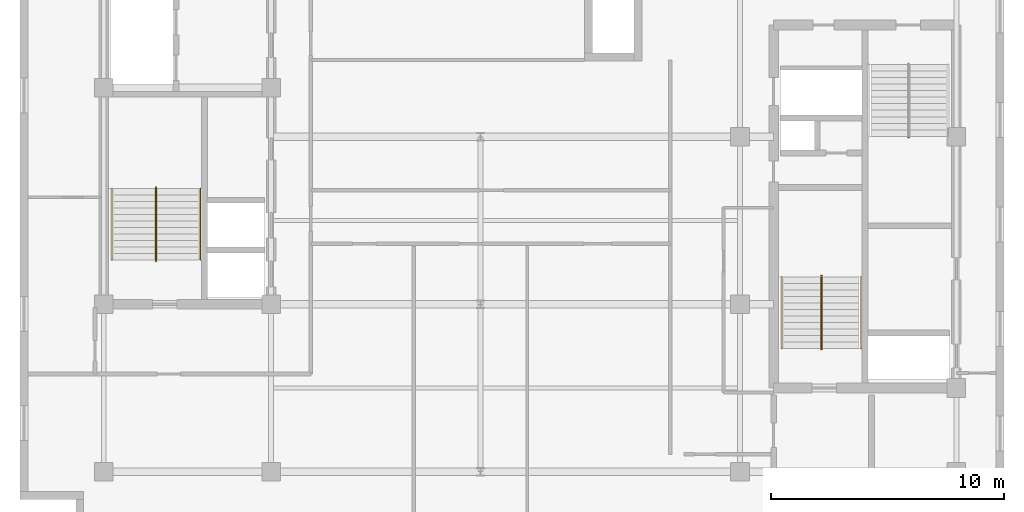
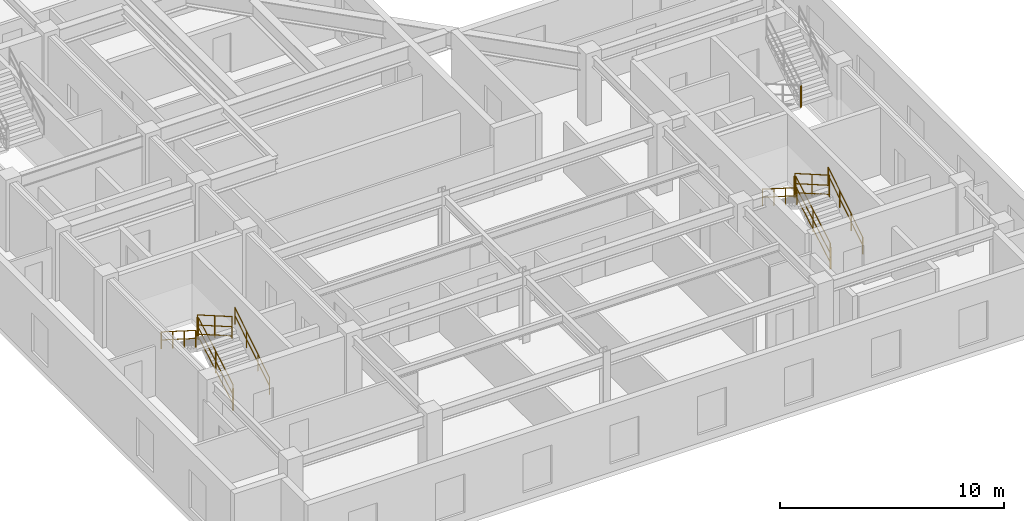
# One storey, part 8 of 10: 13 railings.
"""IFC4 building model written with IfcOpenShell, lengths in metres."""

from ifc_helpers import new_model, entity, si_unit, converted_unit, direction, frame, origin_with_axes, origin_2d_with_axis, place, context, subcontext, project, spatial, rectangle, circle, extrude, material, type_object, element, save


model = new_model("IFC4")

# Units and contexts
model_context = context("Model", 3, precision=1e-05, world=origin_with_axes(), true_north=direction((0.0, 1.0)))
body_context = subcontext(model_context, "Body", "Model", "MODEL_VIEW")
ifc_project = project(units=[si_unit("LENGTHUNIT", "METRE"), si_unit("AREAUNIT", "SQUARE_METRE"), si_unit("VOLUMEUNIT", "CUBIC_METRE"), converted_unit("PLANEANGLEUNIT", "DEGREE", entity("IfcPlaneAngleMeasure", 0.017453292519943295), si_unit("PLANEANGLEUNIT", "RADIAN"), dimensions=[0, 0, 0, 0, 0, 0, 0]), si_unit("MASSUNIT", "GRAM", prefix="KILO"), si_unit("THERMODYNAMICTEMPERATUREUNIT", "KELVIN")], contexts=[model_context])

# Site, building, storey
site_placement = place(None, origin_with_axes())
site = spatial("IfcSite", under=ifc_project, at=site_placement, CompositionType="ELEMENT")
building_placement = place(site_placement, origin_with_axes())
building = spatial("IfcBuilding", under=site, at=building_placement, Name="Varnlund Millrace Tower", CompositionType="ELEMENT")
storey_placement = place(building_placement, frame((0.0, 0.0, 280.2), z_axis=(0.0, 0.0, 1.0), x_axis=(1.0, 0.0, 0.0)))
storey = spatial("IfcBuildingStorey", under=building, at=storey_placement, Name="L69", CompositionType="ELEMENT", Elevation=280.2)

# Railings
ifc_material_1 = material(Name="Painted steel stair well balustrade guard", Category="steel")
railing_type_1 = type_object("IfcRailingType", Name="Type-StairGuard-1150", PredefinedType="GUARDRAIL", material=ifc_material_1)
railing_1_placement = place(storey_placement, frame((0.0, 0.0, -280.2), z_axis=(0.0, 0.0, 1.0), x_axis=(1.0, 0.0, 0.0)))
element("IfcRailing", 1, at=railing_1_placement, inside=storey, type_object=railing_type_1, Name="Type-StairGuard-1150", PredefinedType="GUARDRAIL", context=body_context, shape_type="SweptSolid", body=[
    extrude(circle(Radius=0.024, at=origin_2d_with_axis()), frame((13.675, 12.7, 281.527273), z_axis=(0.0, 0.866696, 0.498836), x_axis=(-1.0, 0.0, 0.0)), (0.0, 0.0, 1.0), 3.553725),
    extrude(circle(Radius=0.024, at=origin_2d_with_axis()), frame((13.675, 12.7, 280.477273), z_axis=(0.0, 0.866696, 0.498836), x_axis=(-1.0, 0.0, 0.0)), (0.0, 0.0, 1.0), 3.553725),
    extrude(circle(Radius=0.024, at=origin_2d_with_axis()), frame((13.675, 12.7, 280.975273), z_axis=(0.0, 0.866696, 0.498836), x_axis=(-1.0, 0.0, 0.0)), (0.0, 0.0, 1.0), 3.553725),
    extrude(rectangle(XDim=0.04, YDim=0.04, at=origin_2d_with_axis()), frame((13.675, 12.7, 280.337273), z_axis=(0.0, 0.0, 1.0), x_axis=(1.0, 0.0, 0.0)), (0.0, 0.0, 1.0), 1.19),
    extrude(rectangle(XDim=0.04, YDim=0.04, at=origin_2d_with_axis()), frame((13.675, 14.24, 281.223636), z_axis=(0.0, 0.0, 1.0), x_axis=(1.0, 0.0, 0.0)), (0.0, 0.0, 1.0), 1.19),
    extrude(rectangle(XDim=0.04, YDim=0.04, at=origin_2d_with_axis()), frame((13.675, 15.78, 282.11), z_axis=(0.0, 0.0, 1.0), x_axis=(1.0, 0.0, 0.0)), (0.0, 0.0, 1.0), 1.19),
])
railing_2_placement = place(storey_placement, frame((0.0, 0.0, -280.2), z_axis=(0.0, 0.0, 1.0), x_axis=(1.0, 0.0, 0.0)))
element("IfcRailing", 2, at=railing_2_placement, inside=storey, type_object=railing_type_1, Name="Type-StairGuard-1150", PredefinedType="GUARDRAIL", context=body_context, shape_type="SweptSolid", body=[
    extrude(circle(Radius=0.024, at=origin_2d_with_axis()), frame((13.625, 15.83, 283.3), z_axis=(1.0, 0.0, 0.0), x_axis=(0.0, 1.0, 0.0)), (0.0, 0.0, 1.0), 0.05),
    extrude(circle(Radius=0.024, at=origin_2d_with_axis()), frame((13.625, 15.83, 282.25), z_axis=(1.0, 0.0, 0.0), x_axis=(0.0, 1.0, 0.0)), (0.0, 0.0, 1.0), 0.05),
    extrude(circle(Radius=0.024, at=origin_2d_with_axis()), frame((13.625, 15.83, 282.748), z_axis=(1.0, 0.0, 0.0), x_axis=(0.0, 1.0, 0.0)), (0.0, 0.0, 1.0), 0.05),
    extrude(rectangle(XDim=0.04, YDim=0.04, at=origin_2d_with_axis()), frame((13.625, 15.83, 282.11), z_axis=(0.0, 0.0, 1.0), x_axis=(1.0, 0.0, 0.0)), (0.0, 0.0, 1.0), 1.19),
    extrude(rectangle(XDim=0.04, YDim=0.04, at=origin_2d_with_axis()), frame((13.675, 15.83, 282.11), z_axis=(0.0, 0.0, 1.0), x_axis=(1.0, 0.0, 0.0)), (0.0, 0.0, 1.0), 1.19),
])
railing_3_placement = place(storey_placement, frame((0.0, 0.0, -280.2), z_axis=(0.0, 0.0, 1.0), x_axis=(1.0, 0.0, 0.0)))
element("IfcRailing", 3, at=railing_3_placement, inside=storey, type_object=railing_type_1, Name="Type-StairGuard-1150", PredefinedType="GUARDRAIL", context=body_context, shape_type="SweptSolid", body=[
    extrude(circle(Radius=0.024, at=origin_2d_with_axis()), frame((13.625, 15.78, 283.477273), z_axis=(0.0, -0.866696, 0.498836), x_axis=(1.0, 0.0, 0.0)), (0.0, 0.0, 1.0), 3.553725),
    extrude(circle(Radius=0.024, at=origin_2d_with_axis()), frame((13.625, 15.78, 282.427273), z_axis=(0.0, -0.866696, 0.498836), x_axis=(1.0, 0.0, 0.0)), (0.0, 0.0, 1.0), 3.553725),
    extrude(circle(Radius=0.024, at=origin_2d_with_axis()), frame((13.625, 15.78, 282.925273), z_axis=(0.0, -0.866696, 0.498836), x_axis=(1.0, 0.0, 0.0)), (0.0, 0.0, 1.0), 3.553725),
    extrude(rectangle(XDim=0.04, YDim=0.04, at=origin_2d_with_axis()), frame((13.625, 15.78, 282.287273), z_axis=(0.0, 0.0, 1.0), x_axis=(1.0, 0.0, 0.0)), (0.0, 0.0, 1.0), 1.19),
    extrude(rectangle(XDim=0.04, YDim=0.04, at=origin_2d_with_axis()), frame((13.625, 14.24, 283.173636), z_axis=(0.0, 0.0, 1.0), x_axis=(1.0, 0.0, 0.0)), (0.0, 0.0, 1.0), 1.19),
    extrude(rectangle(XDim=0.04, YDim=0.04, at=origin_2d_with_axis()), frame((13.625, 12.7, 284.06), z_axis=(0.0, 0.0, 1.0), x_axis=(1.0, 0.0, 0.0)), (0.0, 0.0, 1.0), 1.19),
])
railing_4_placement = place(storey_placement, frame((0.0, 0.0, -280.2), z_axis=(0.0, 0.0, 1.0), x_axis=(1.0, 0.0, 0.0)))
element("IfcRailing", 4, at=railing_4_placement, inside=storey, type_object=railing_type_1, Name="Type-StairGuard-1150", PredefinedType="GUARDRAIL", context=body_context, shape_type="SweptSolid", body=[
    extrude(circle(Radius=0.024, at=origin_2d_with_axis()), frame((13.625, 12.65, 281.35), z_axis=(1.0, 0.0, 0.0), x_axis=(0.0, 1.0, 0.0)), (0.0, 0.0, 1.0), 0.05),
    extrude(circle(Radius=0.024, at=origin_2d_with_axis()), frame((13.625, 12.65, 280.3), z_axis=(1.0, 0.0, 0.0), x_axis=(0.0, 1.0, 0.0)), (0.0, 0.0, 1.0), 0.05),
    extrude(circle(Radius=0.024, at=origin_2d_with_axis()), frame((13.625, 12.65, 280.798), z_axis=(1.0, 0.0, 0.0), x_axis=(0.0, 1.0, 0.0)), (0.0, 0.0, 1.0), 0.05),
    extrude(rectangle(XDim=0.04, YDim=0.04, at=origin_2d_with_axis()), frame((13.625, 12.65, 280.16), z_axis=(0.0, 0.0, 1.0), x_axis=(1.0, 0.0, 0.0)), (0.0, 0.0, 1.0), 1.19),
    extrude(rectangle(XDim=0.04, YDim=0.04, at=origin_2d_with_axis()), frame((13.675, 12.65, 280.16), z_axis=(0.0, 0.0, 1.0), x_axis=(1.0, 0.0, 0.0)), (0.0, 0.0, 1.0), 1.19),
])
railing_5_placement = place(storey_placement, frame((0.0, 0.0, -280.2), z_axis=(0.0, 0.0, 1.0), x_axis=(1.0, 0.0, 0.0)))
element("IfcRailing", 5, at=railing_5_placement, inside=storey, type_object=railing_type_1, Name="Type-StairGuard-1150", PredefinedType="GUARDRAIL", context=body_context, shape_type="SweptSolid", body=[
    extrude(circle(Radius=0.024, at=origin_2d_with_axis()), frame((42.275, 8.9, 281.527273), z_axis=(0.0, 0.866696, 0.498836), x_axis=(-1.0, 0.0, 0.0)), (0.0, 0.0, 1.0), 3.553725),
    extrude(circle(Radius=0.024, at=origin_2d_with_axis()), frame((42.275, 8.9, 280.477273), z_axis=(0.0, 0.866696, 0.498836), x_axis=(-1.0, 0.0, 0.0)), (0.0, 0.0, 1.0), 3.553725),
    extrude(circle(Radius=0.024, at=origin_2d_with_axis()), frame((42.275, 8.9, 280.975273), z_axis=(0.0, 0.866696, 0.498836), x_axis=(-1.0, 0.0, 0.0)), (0.0, 0.0, 1.0), 3.553725),
    extrude(rectangle(XDim=0.04, YDim=0.04, at=origin_2d_with_axis()), frame((42.275, 8.9, 280.337273), z_axis=(0.0, 0.0, 1.0), x_axis=(1.0, 0.0, 0.0)), (0.0, 0.0, 1.0), 1.19),
    extrude(rectangle(XDim=0.04, YDim=0.04, at=origin_2d_with_axis()), frame((42.275, 10.44, 281.223636), z_axis=(0.0, 0.0, 1.0), x_axis=(1.0, 0.0, 0.0)), (0.0, 0.0, 1.0), 1.19),
    extrude(rectangle(XDim=0.04, YDim=0.04, at=origin_2d_with_axis()), frame((42.275, 11.98, 282.11), z_axis=(0.0, 0.0, 1.0), x_axis=(1.0, 0.0, 0.0)), (0.0, 0.0, 1.0), 1.19),
])
railing_6_placement = place(storey_placement, frame((0.0, 0.0, -280.2), z_axis=(0.0, 0.0, 1.0), x_axis=(1.0, 0.0, 0.0)))
element("IfcRailing", 6, at=railing_6_placement, inside=storey, type_object=railing_type_1, Name="Type-StairGuard-1150", PredefinedType="GUARDRAIL", context=body_context, shape_type="SweptSolid", body=[
    extrude(circle(Radius=0.024, at=origin_2d_with_axis()), frame((42.225, 12.03, 283.3), z_axis=(1.0, 0.0, 0.0), x_axis=(0.0, 1.0, 0.0)), (0.0, 0.0, 1.0), 0.05),
    extrude(circle(Radius=0.024, at=origin_2d_with_axis()), frame((42.225, 12.03, 282.25), z_axis=(1.0, 0.0, 0.0), x_axis=(0.0, 1.0, 0.0)), (0.0, 0.0, 1.0), 0.05),
    extrude(circle(Radius=0.024, at=origin_2d_with_axis()), frame((42.225, 12.03, 282.748), z_axis=(1.0, 0.0, 0.0), x_axis=(0.0, 1.0, 0.0)), (0.0, 0.0, 1.0), 0.05),
    extrude(rectangle(XDim=0.04, YDim=0.04, at=origin_2d_with_axis()), frame((42.225, 12.03, 282.11), z_axis=(0.0, 0.0, 1.0), x_axis=(1.0, 0.0, 0.0)), (0.0, 0.0, 1.0), 1.19),
    extrude(rectangle(XDim=0.04, YDim=0.04, at=origin_2d_with_axis()), frame((42.275, 12.03, 282.11), z_axis=(0.0, 0.0, 1.0), x_axis=(1.0, 0.0, 0.0)), (0.0, 0.0, 1.0), 1.19),
])
railing_7_placement = place(storey_placement, frame((0.0, 0.0, -280.2), z_axis=(0.0, 0.0, 1.0), x_axis=(1.0, 0.0, 0.0)))
element("IfcRailing", 7, at=railing_7_placement, inside=storey, type_object=railing_type_1, Name="Type-StairGuard-1150", PredefinedType="GUARDRAIL", context=body_context, shape_type="SweptSolid", body=[
    extrude(circle(Radius=0.024, at=origin_2d_with_axis()), frame((42.225, 11.98, 283.477273), z_axis=(0.0, -0.866696, 0.498836), x_axis=(1.0, 0.0, 0.0)), (0.0, 0.0, 1.0), 3.553725),
    extrude(circle(Radius=0.024, at=origin_2d_with_axis()), frame((42.225, 11.98, 282.427273), z_axis=(0.0, -0.866696, 0.498836), x_axis=(1.0, 0.0, 0.0)), (0.0, 0.0, 1.0), 3.553725),
    extrude(circle(Radius=0.024, at=origin_2d_with_axis()), frame((42.225, 11.98, 282.925273), z_axis=(0.0, -0.866696, 0.498836), x_axis=(1.0, 0.0, 0.0)), (0.0, 0.0, 1.0), 3.553725),
    extrude(rectangle(XDim=0.04, YDim=0.04, at=origin_2d_with_axis()), frame((42.225, 11.98, 282.287273), z_axis=(0.0, 0.0, 1.0), x_axis=(1.0, 0.0, 0.0)), (0.0, 0.0, 1.0), 1.19),
    extrude(rectangle(XDim=0.04, YDim=0.04, at=origin_2d_with_axis()), frame((42.225, 10.44, 283.173636), z_axis=(0.0, 0.0, 1.0), x_axis=(1.0, 0.0, 0.0)), (0.0, 0.0, 1.0), 1.19),
    extrude(rectangle(XDim=0.04, YDim=0.04, at=origin_2d_with_axis()), frame((42.225, 8.9, 284.06), z_axis=(0.0, 0.0, 1.0), x_axis=(1.0, 0.0, 0.0)), (0.0, 0.0, 1.0), 1.19),
])
railing_8_placement = place(storey_placement, frame((0.0, 0.0, -280.2), z_axis=(0.0, 0.0, 1.0), x_axis=(1.0, 0.0, 0.0)))
element("IfcRailing", 8, at=railing_8_placement, inside=storey, type_object=railing_type_1, Name="Type-StairGuard-1150", PredefinedType="GUARDRAIL", context=body_context, shape_type="SweptSolid", body=[
    extrude(circle(Radius=0.024, at=origin_2d_with_axis()), frame((42.225, 8.85, 281.35), z_axis=(1.0, 0.0, 0.0), x_axis=(0.0, 1.0, 0.0)), (0.0, 0.0, 1.0), 0.05),
    extrude(circle(Radius=0.024, at=origin_2d_with_axis()), frame((42.225, 8.85, 280.3), z_axis=(1.0, 0.0, 0.0), x_axis=(0.0, 1.0, 0.0)), (0.0, 0.0, 1.0), 0.05),
    extrude(circle(Radius=0.024, at=origin_2d_with_axis()), frame((42.225, 8.85, 280.798), z_axis=(1.0, 0.0, 0.0), x_axis=(0.0, 1.0, 0.0)), (0.0, 0.0, 1.0), 0.05),
    extrude(rectangle(XDim=0.04, YDim=0.04, at=origin_2d_with_axis()), frame((42.225, 8.85, 280.16), z_axis=(0.0, 0.0, 1.0), x_axis=(1.0, 0.0, 0.0)), (0.0, 0.0, 1.0), 1.19),
    extrude(rectangle(XDim=0.04, YDim=0.04, at=origin_2d_with_axis()), frame((42.275, 8.85, 280.16), z_axis=(0.0, 0.0, 1.0), x_axis=(1.0, 0.0, 0.0)), (0.0, 0.0, 1.0), 1.19),
])
railing_9_placement = place(storey_placement, frame((0.0, 0.0, -280.2), z_axis=(0.0, 0.0, 1.0), x_axis=(1.0, 0.0, 0.0)))
element("IfcRailing", 9, at=railing_9_placement, inside=storey, type_object=railing_type_1, Name="Type-StairGuard-1150", PredefinedType="GUARDRAIL", context=body_context, shape_type="SweptSolid", body=[
    extrude(circle(Radius=0.024, at=origin_2d_with_axis()), frame((46.025, 17.97, 283.3), z_axis=(-1.0, 0.0, 0.0), x_axis=(0.0, -1.0, 0.0)), (0.0, 0.0, 1.0), 0.05),
    extrude(circle(Radius=0.024, at=origin_2d_with_axis()), frame((46.025, 17.97, 282.25), z_axis=(-1.0, 0.0, 0.0), x_axis=(0.0, -1.0, 0.0)), (0.0, 0.0, 1.0), 0.05),
    extrude(circle(Radius=0.024, at=origin_2d_with_axis()), frame((46.025, 17.97, 282.748), z_axis=(-1.0, 0.0, 0.0), x_axis=(0.0, -1.0, 0.0)), (0.0, 0.0, 1.0), 0.05),
    extrude(rectangle(XDim=0.04, YDim=0.04, at=origin_2d_with_axis()), frame((46.025, 17.97, 282.11), z_axis=(0.0, 0.0, 1.0), x_axis=(1.0, 0.0, 0.0)), (0.0, 0.0, 1.0), 1.19),
    extrude(rectangle(XDim=0.04, YDim=0.04, at=origin_2d_with_axis()), frame((45.975, 17.97, 282.11), z_axis=(0.0, 0.0, 1.0), x_axis=(1.0, 0.0, 0.0)), (0.0, 0.0, 1.0), 1.19),
])
ifc_material_2 = material(Name="Brushed architectural bronze stair handrail", Category="aluminium")
railing_type_2 = type_object("IfcRailingType", Name="Type-StairHandrail-900", PredefinedType="HANDRAIL", material=ifc_material_2)
railing_10_placement = place(storey_placement, frame((0.0, 0.0, -280.2), z_axis=(0.0, 0.0, 1.0), x_axis=(1.0, 0.0, 0.0)))
element("IfcRailing", 10, at=railing_10_placement, inside=storey, type_object=railing_type_2, Name="Type-StairHandrail-900", PredefinedType="HANDRAIL", context=body_context, shape_type="SweptSolid", body=[
    extrude(circle(Radius=0.024, at=origin_2d_with_axis()), frame((15.55, 12.7, 281.256995), z_axis=(0.0, 0.844902, 0.534922), x_axis=(-1.0, 0.0, 0.0)), (0.0, 0.0, 1.0), 3.645394),
    extrude(circle(Radius=0.024, at=origin_2d_with_axis()), frame((15.55, 12.7, 280.817134), z_axis=(0.0, 0.844902, 0.534922), x_axis=(-1.0, 0.0, 0.0)), (0.0, 0.0, 1.0), 3.645394),
    extrude(rectangle(XDim=0.04, YDim=0.04, at=origin_2d_with_axis()), frame((15.55, 12.7, 280.337273), z_axis=(0.0, 0.0, 1.0), x_axis=(1.0, 0.0, 0.0)), (0.0, 0.0, 1.0), 0.919722),
    extrude(rectangle(XDim=0.04, YDim=0.04, at=origin_2d_with_axis()), frame((15.55, 13.726667, 280.987273), z_axis=(0.0, 0.0, 1.0), x_axis=(1.0, 0.0, 0.0)), (0.0, 0.0, 1.0), 0.919722),
    extrude(rectangle(XDim=0.04, YDim=0.04, at=origin_2d_with_axis()), frame((15.55, 14.753333, 281.637273), z_axis=(0.0, 0.0, 1.0), x_axis=(1.0, 0.0, 0.0)), (0.0, 0.0, 1.0), 0.919722),
    extrude(rectangle(XDim=0.04, YDim=0.04, at=origin_2d_with_axis()), frame((15.55, 15.78, 282.287273), z_axis=(0.0, 0.0, 1.0), x_axis=(1.0, 0.0, 0.0)), (0.0, 0.0, 1.0), 0.919722),
])
railing_11_placement = place(storey_placement, frame((0.0, 0.0, -280.2), z_axis=(0.0, 0.0, 1.0), x_axis=(1.0, 0.0, 0.0)))
element("IfcRailing", 11, at=railing_11_placement, inside=storey, type_object=railing_type_2, Name="Type-StairHandrail-900", PredefinedType="HANDRAIL", context=body_context, shape_type="SweptSolid", body=[
    extrude(circle(Radius=0.024, at=origin_2d_with_axis()), frame((11.75, 15.78, 283.206995), z_axis=(0.0, -0.844902, 0.534922), x_axis=(1.0, 0.0, 0.0)), (0.0, 0.0, 1.0), 3.645394),
    extrude(circle(Radius=0.024, at=origin_2d_with_axis()), frame((11.75, 15.78, 282.767134), z_axis=(0.0, -0.844902, 0.534922), x_axis=(1.0, 0.0, 0.0)), (0.0, 0.0, 1.0), 3.645394),
    extrude(rectangle(XDim=0.04, YDim=0.04, at=origin_2d_with_axis()), frame((11.75, 15.78, 282.287273), z_axis=(0.0, 0.0, 1.0), x_axis=(1.0, 0.0, 0.0)), (0.0, 0.0, 1.0), 0.919722),
    extrude(rectangle(XDim=0.04, YDim=0.04, at=origin_2d_with_axis()), frame((11.75, 14.753333, 282.937273), z_axis=(0.0, 0.0, 1.0), x_axis=(1.0, 0.0, 0.0)), (0.0, 0.0, 1.0), 0.919722),
    extrude(rectangle(XDim=0.04, YDim=0.04, at=origin_2d_with_axis()), frame((11.75, 13.726667, 283.587273), z_axis=(0.0, 0.0, 1.0), x_axis=(1.0, 0.0, 0.0)), (0.0, 0.0, 1.0), 0.919722),
    extrude(rectangle(XDim=0.04, YDim=0.04, at=origin_2d_with_axis()), frame((11.75, 12.7, 284.237273), z_axis=(0.0, 0.0, 1.0), x_axis=(1.0, 0.0, 0.0)), (0.0, 0.0, 1.0), 0.919722),
])
railing_12_placement = place(storey_placement, frame((0.0, 0.0, -280.2), z_axis=(0.0, 0.0, 1.0), x_axis=(1.0, 0.0, 0.0)))
element("IfcRailing", 12, at=railing_12_placement, inside=storey, type_object=railing_type_2, Name="Type-StairHandrail-900", PredefinedType="HANDRAIL", context=body_context, shape_type="SweptSolid", body=[
    extrude(circle(Radius=0.024, at=origin_2d_with_axis()), frame((43.95, 8.9, 281.256995), z_axis=(0.0, 0.844902, 0.534922), x_axis=(-1.0, 0.0, 0.0)), (0.0, 0.0, 1.0), 3.645394),
    extrude(circle(Radius=0.024, at=origin_2d_with_axis()), frame((43.95, 8.9, 280.817134), z_axis=(0.0, 0.844902, 0.534922), x_axis=(-1.0, 0.0, 0.0)), (0.0, 0.0, 1.0), 3.645394),
    extrude(rectangle(XDim=0.04, YDim=0.04, at=origin_2d_with_axis()), frame((43.95, 8.9, 280.337273), z_axis=(0.0, 0.0, 1.0), x_axis=(1.0, 0.0, 0.0)), (0.0, 0.0, 1.0), 0.919722),
    extrude(rectangle(XDim=0.04, YDim=0.04, at=origin_2d_with_axis()), frame((43.95, 9.926667, 280.987273), z_axis=(0.0, 0.0, 1.0), x_axis=(1.0, 0.0, 0.0)), (0.0, 0.0, 1.0), 0.919722),
    extrude(rectangle(XDim=0.04, YDim=0.04, at=origin_2d_with_axis()), frame((43.95, 10.953333, 281.637273), z_axis=(0.0, 0.0, 1.0), x_axis=(1.0, 0.0, 0.0)), (0.0, 0.0, 1.0), 0.919722),
    extrude(rectangle(XDim=0.04, YDim=0.04, at=origin_2d_with_axis()), frame((43.95, 11.98, 282.287273), z_axis=(0.0, 0.0, 1.0), x_axis=(1.0, 0.0, 0.0)), (0.0, 0.0, 1.0), 0.919722),
])
railing_13_placement = place(storey_placement, frame((0.0, 0.0, -280.2), z_axis=(0.0, 0.0, 1.0), x_axis=(1.0, 0.0, 0.0)))
element("IfcRailing", 13, at=railing_13_placement, inside=storey, type_object=railing_type_2, Name="Type-StairHandrail-900", PredefinedType="HANDRAIL", context=body_context, shape_type="SweptSolid", body=[
    extrude(circle(Radius=0.024, at=origin_2d_with_axis()), frame((40.55, 11.98, 283.206995), z_axis=(0.0, -0.844902, 0.534922), x_axis=(1.0, 0.0, 0.0)), (0.0, 0.0, 1.0), 3.645394),
    extrude(circle(Radius=0.024, at=origin_2d_with_axis()), frame((40.55, 11.98, 282.767134), z_axis=(0.0, -0.844902, 0.534922), x_axis=(1.0, 0.0, 0.0)), (0.0, 0.0, 1.0), 3.645394),
    extrude(rectangle(XDim=0.04, YDim=0.04, at=origin_2d_with_axis()), frame((40.55, 11.98, 282.287273), z_axis=(0.0, 0.0, 1.0), x_axis=(1.0, 0.0, 0.0)), (0.0, 0.0, 1.0), 0.919722),
    extrude(rectangle(XDim=0.04, YDim=0.04, at=origin_2d_with_axis()), frame((40.55, 10.953333, 282.937273), z_axis=(0.0, 0.0, 1.0), x_axis=(1.0, 0.0, 0.0)), (0.0, 0.0, 1.0), 0.919722),
    extrude(rectangle(XDim=0.04, YDim=0.04, at=origin_2d_with_axis()), frame((40.55, 9.926667, 283.587273), z_axis=(0.0, 0.0, 1.0), x_axis=(1.0, 0.0, 0.0)), (0.0, 0.0, 1.0), 0.919722),
    extrude(rectangle(XDim=0.04, YDim=0.04, at=origin_2d_with_axis()), frame((40.55, 8.9, 284.237273), z_axis=(0.0, 0.0, 1.0), x_axis=(1.0, 0.0, 0.0)), (0.0, 0.0, 1.0), 0.919722),
])

save(model, "model.ifc")
